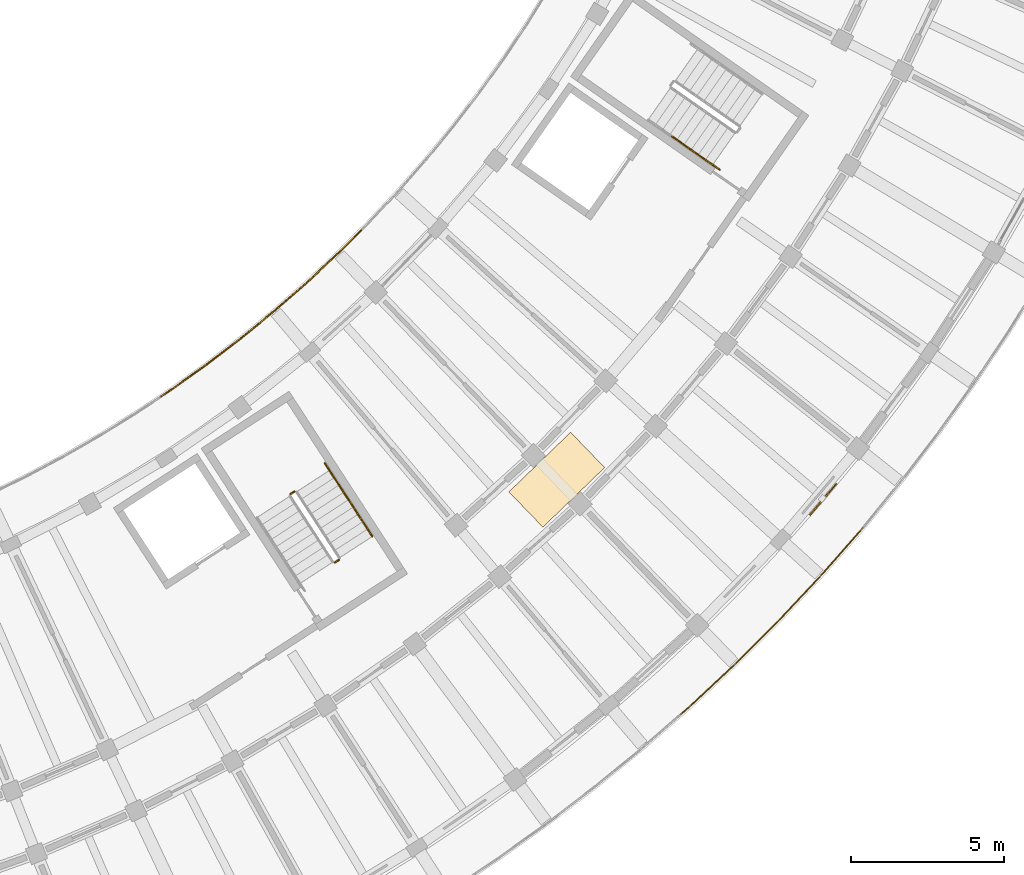
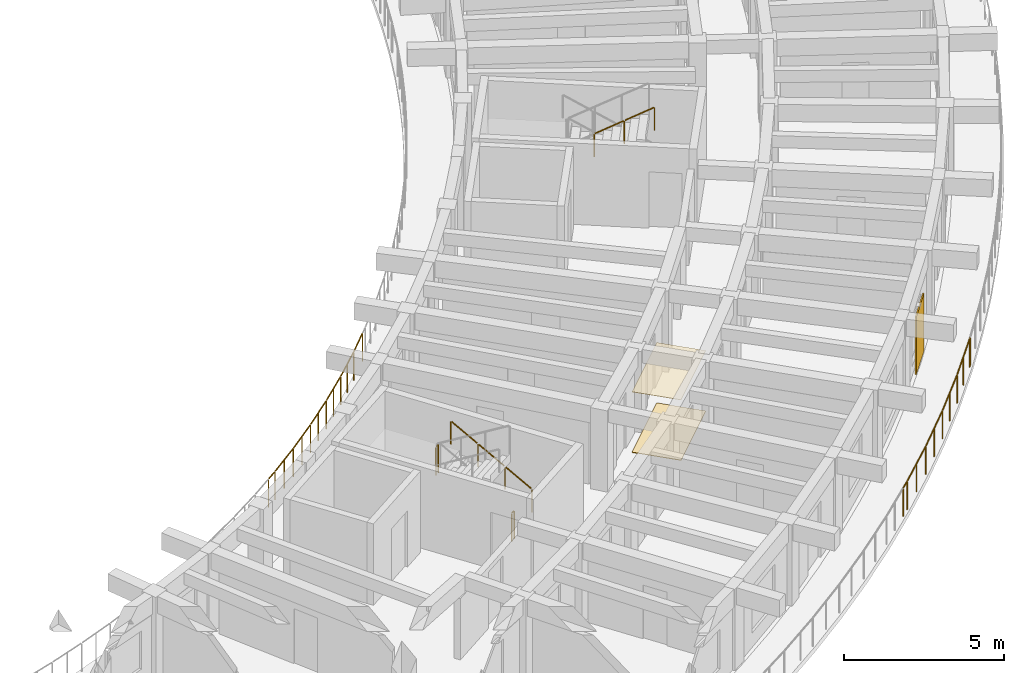
# One storey, part 89 of 96: 9 railings, 2 coverings, 1 shading device.
"""IFC4 building model written with IfcOpenShell, lengths in metres."""

import ifcopenshell
import ifcopenshell.guid

model = None  # the IFC model being written
_history = None  # IfcOwnerHistory: only IFC2X3 demands one
_inside = {}  # id of a spatial element -> (the spatial element, [elements in it])
_under = {}  # id of a project, library or spatial element -> (it, [spatial elements below it])
_declared = {}  # id of a project -> (the project, [libraries it declares])
_typed = {}  # id of a type object -> (the type object, [elements of that type])
_made_of = {}  # id of a material, layer set ... -> (it, [elements and type objects made of it])


def new_model(schema):
    """Start an empty IFC model of exactly this schema.

    Asked for "IFC4X3", IfcOpenShell would pick the latest addendum, in which some entities
    have other attributes; the version numbers below select the first issue.
    IFC2X3 requires an IfcOwnerHistory on every rooted entity: one is made here for all.
    """
    global model, _history
    if schema == "IFC4X3":
        model = ifcopenshell.file(schema_version=(4, 3, 0, 0))
    else:
        model = ifcopenshell.file(schema=schema)
    _inside.clear()
    _under.clear()
    _declared.clear()
    _typed.clear()
    _made_of.clear()
    _history = None
    if model.schema == "IFC2X3":
        org = make("IfcOrganization", Name="unknown")
        user = make(
            "IfcPersonAndOrganization",
            ThePerson=make("IfcPerson", FamilyName="unknown"),
            TheOrganization=org,
        )
        app = make(
            "IfcApplication",
            ApplicationDeveloper=org,
            Version="unknown",
            ApplicationFullName="unknown",
            ApplicationIdentifier="unknown",
        )
        _history = make(
            "IfcOwnerHistory",
            OwningUser=user,
            OwningApplication=app,
            ChangeAction="ADDED",
            CreationDate=0,
        )
    return model


def make(cls, **values):
    """One entity of the class cls with the attributes given. An attribute that is None is left unset."""
    return model.create_entity(
        cls, **{name: value for name, value in values.items() if value is not None}
    )


def rooted(cls, **values):
    """An entity with a GlobalId (a new one), such as an element, a storey or a relation."""
    return make(cls, GlobalId=ifcopenshell.guid.new(), OwnerHistory=_history, **values)


def si_unit(unit_type, name, prefix=None):
    """IfcSIUnit, for example si_unit("LENGTHUNIT", "METRE", prefix="MILLI")."""
    return make("IfcSIUnit", UnitType=unit_type, Prefix=prefix, Name=name)


def assignment(units):
    """IfcUnitAssignment: the units of a project."""
    return None if units is None else make("IfcUnitAssignment", Units=units)


def point(xyz):
    """IfcCartesianPoint."""
    return None if xyz is None else make("IfcCartesianPoint", Coordinates=xyz)


def direction(xyz):
    """IfcDirection."""
    return None if xyz is None else make("IfcDirection", DirectionRatios=xyz)


def frame(location, z_axis=None, x_axis=None):
    """IfcAxis2Placement3D, a coordinate frame: its origin and axes. An axis left out is left unset."""
    return make(
        "IfcAxis2Placement3D",
        Location=point(location),
        Axis=direction(z_axis),
        RefDirection=direction(x_axis),
    )


def frame_2d(location, x_axis=None):
    """IfcAxis2Placement2D, a coordinate frame in the plane: its origin and x axis."""
    return make(
        "IfcAxis2Placement2D", Location=point(location), RefDirection=direction(x_axis)
    )


def origin():
    """The frame at (0, 0, 0) with its axes left unset."""
    return frame((0.0, 0.0, 0.0))


def origin_2d():
    """The frame at (0, 0) in the plane with its x axis left unset."""
    return frame_2d((0.0, 0.0))


def place(relative_to, where):
    """IfcLocalPlacement: puts the frame where relative to a parent placement (None: the world)."""
    return make(
        "IfcLocalPlacement", PlacementRelTo=relative_to, RelativePlacement=where
    )


def context(
    kind, dimensions, precision=None, world=None, true_north=None, identifier=None
):
    """IfcGeometricRepresentationContext, for example the 3D "Model" context."""
    return make(
        "IfcGeometricRepresentationContext",
        ContextIdentifier=identifier,
        ContextType=kind,
        CoordinateSpaceDimension=dimensions,
        Precision=precision,
        WorldCoordinateSystem=world,
        TrueNorth=true_north,
    )


def subcontext(parent, identifier, kind, view, scale=None):
    """IfcGeometricRepresentationSubContext, for example "Body" below "Model"."""
    return make(
        "IfcGeometricRepresentationSubContext",
        ContextIdentifier=identifier,
        ContextType=kind,
        ParentContext=parent,
        TargetScale=scale,
        TargetView=view,
    )


def project(units=None, contexts=None):
    """IfcProject with its units and contexts."""
    return rooted(
        "IfcProject",
        Name="project",
        RepresentationContexts=contexts,
        UnitsInContext=assignment(units),
    )


def spatial(cls, under=None, at=None, **own):
    """A site, building, storey or space (cls), placed at a placement, below another one or the project."""
    s = rooted(cls, ObjectPlacement=at, **own)
    if under is not None:
        _under.setdefault(under.id(), (under, []))[1].append(s)
    return s


def profile(cls, at=None, kind="AREA", **sizes):
    """A parametric profile (cls). Its sizes go by their IFC names, for example OverallWidth=200.0."""
    return make(cls, ProfileType=kind, Position=at, **sizes)


def rectangle(**sizes):
    """IfcRectangleProfileDef."""
    return profile("IfcRectangleProfileDef", **sizes)


def circle(**sizes):
    """IfcCircleProfileDef."""
    return profile("IfcCircleProfileDef", **sizes)


def extrude(swept, where, along, depth):
    """IfcExtrudedAreaSolid: the profile swept, set in the frame where, extruded along a direction by depth."""
    return make(
        "IfcExtrudedAreaSolid",
        SweptArea=swept,
        Position=where,
        ExtrudedDirection=direction(along),
        Depth=depth,
    )


def shape(context_of_items, identifier, shape_type, items):
    """IfcShapeRepresentation: the items that make up one representation, for example the "Body"."""
    return make(
        "IfcShapeRepresentation",
        ContextOfItems=context_of_items,
        RepresentationIdentifier=identifier,
        RepresentationType=shape_type,
        Items=items,
    )


def material(Name=None, Category=None):
    """IfcMaterial."""
    return make("IfcMaterial", Name=Name, Category=Category)


def layer(
    of_material, thickness, ventilated=None, Name=None, Category=None, Priority=None
):
    """IfcMaterialLayer: one layer of a wall or slab, of a material (None: an air gap)."""
    return make(
        "IfcMaterialLayer",
        Material=of_material,
        LayerThickness=thickness,
        IsVentilated=ventilated,
        Name=Name,
        Category=Category,
        Priority=Priority,
    )


def layer_set(layers, Name=None):
    """IfcMaterialLayerSet."""
    return make("IfcMaterialLayerSet", MaterialLayers=layers, LayerSetName=Name)


def made_of(thing, what):
    """Note that an element or type object is made of a material, layer set ...; save() writes the relation."""
    if what is not None:
        _made_of.setdefault(what.id(), (what, []))[1].append(thing)
    return thing


def type_object(cls, material=None, **own):
    """A type object (cls), such as IfcWallType, which elements share."""
    return made_of(rooted(cls, **own), material)


def element(
    cls,
    number,
    at=None,
    inside=None,
    cuts=None,
    type_object=None,
    material=None,
    context=None,
    identifier="Body",
    shape_type=None,
    held_by="IfcProductDefinitionShape",
    body=None,
    shapes=None,
    **own,
):
    """One element of the class cls, such as IfcWall. Its Tag is "e" and its number.

    at: its placement. inside: the storey or other place that contains it. cuts: it is an
    opening in that element (IfcRelVoidsElement). A single representation is given by context,
    identifier, shape_type and body (its items); several are given by shapes. held_by: the class
    of the entity that holds the representations. save() writes the other relations.
    """
    e = rooted(cls, Tag="e%d" % number, ObjectPlacement=at, **own)
    if body is not None:
        shapes = [shape(context, identifier, shape_type, body)]
    if shapes is not None:
        e.Representation = make(held_by, Representations=shapes)
    if inside is not None:
        _inside.setdefault(inside.id(), (inside, []))[1].append(e)
    if cuts is not None:
        rooted(
            "IfcRelVoidsElement", RelatingBuildingElement=cuts, RelatedOpeningElement=e
        )
    if type_object is not None:
        _typed.setdefault(type_object.id(), (type_object, []))[1].append(e)
    return made_of(e, material)


def aggregate(whole, parts):
    """IfcRelAggregates: a whole, such as a stair, and the parts it consists of."""
    return rooted("IfcRelAggregates", RelatingObject=whole, RelatedObjects=parts)


def save(model, path):
    """Write the relations noted so far, then the file.

    IfcRelAggregates (storeys below a building ...), IfcRelContainedInSpatialStructure (elements
    in a storey), IfcRelDefinesByType, IfcRelAssociatesMaterial and IfcRelDeclares: one each for
    every whole, place, type object, material and project.
    """
    for whole, parts in _under.values():
        aggregate(whole, parts)
    for where, things in _inside.values():
        rooted(
            "IfcRelContainedInSpatialStructure",
            RelatedElements=things,
            RelatingStructure=where,
        )
    for kind, things in _typed.values():
        rooted("IfcRelDefinesByType", RelatedObjects=things, RelatingType=kind)
    for what, things in _made_of.values():
        rooted("IfcRelAssociatesMaterial", RelatedObjects=things, RelatingMaterial=what)
    for by, libraries in _declared.values():
        rooted("IfcRelDeclares", RelatingContext=by, RelatedDefinitions=libraries)
    model.write(path)


model = new_model("IFC4")

# Units and contexts
model_context = context("Model", 3, precision=1e-05, world=origin(), true_north=direction((0.0, 1.0)))
body_context = subcontext(model_context, "Body", "Model", "MODEL_VIEW")
ifc_project = project(units=[si_unit("LENGTHUNIT", "METRE"), si_unit("AREAUNIT", "SQUARE_METRE"), si_unit("VOLUMEUNIT", "CUBIC_METRE"), si_unit("PLANEANGLEUNIT", "RADIAN"), si_unit("MASSUNIT", "GRAM", prefix="KILO")], contexts=[model_context])

# Site, building, storey
site_placement = place(None, origin())
site = spatial("IfcSite", under=ifc_project, at=site_placement, CompositionType="ELEMENT")
building_placement = place(site_placement, origin())
building = spatial("IfcBuilding", under=site, at=building_placement, Name="Tanwirah Colonnade Gardens", CompositionType="ELEMENT")
storey_placement = place(building_placement, frame((0.0, 0.0, 12.199951171875)))
storey = spatial("IfcBuildingStorey", under=building, at=storey_placement, Name="L03", CompositionType="ELEMENT", Elevation=12.199951171875)

# Railings
ifc_material_1 = material(Name="Precast concrete C40/50", Category="concrete")
railing_type_1 = type_object("IfcRailingType", Name="BAL-EXT110", PredefinedType="BALUSTRADE", material=ifc_material_1)
railing_1_placement = place(storey_placement, frame((144.87646484375, 29.129638671875, 0.0)))
element("IfcRailing", 1, at=railing_1_placement, inside=storey, type_object=railing_type_1, Name="Block D L03 Balcony Ribbon Balustrade 3", PredefinedType="BALUSTRADE", context=body_context, shape_type="SweptSolid", body=[
    extrude(circle(Radius=0.02392578125, at=origin_2d()), frame((0.026123046875, 0.017333984375, 1.076171875), z_axis=(0.83213401319, 0.55457459741, 0.0), x_axis=(-0.55457459741, 0.83213401319, 0.0)), (0.0, 0.0, 1.0), 0.385986328125),
    extrude(circle(Radius=0.02392578125, at=origin_2d()), frame((0.40087890625, 0.268310546875, 1.076171875), z_axis=(0.813473063063, 0.581602592558, 0.0), x_axis=(-0.581602592558, 0.813473063063, 0.0)), (0.0, 0.0, 1.0), 1.33154296875),
    extrude(circle(Radius=0.02392578125, at=origin_2d()), frame((1.53662109375, 1.08154296875, 1.076171875), z_axis=(0.793969886309, 0.607957087001, 0.0), x_axis=(-0.607957087001, 0.793969886309, 0.0)), (0.0, 0.0, 1.0), 1.331298828125),
    extrude(circle(Radius=0.02392578125, at=origin_2d()), frame((2.644775390625, 1.931396484375, 1.076171875), z_axis=(0.773762182392, 0.633476191424, 0.0), x_axis=(-0.633476191424, 0.773762182392, 0.0)), (0.0, 0.0, 1.0), 1.33154296875),
    extrude(circle(Radius=0.02392578125, at=origin_2d()), frame((3.724609375, 2.81689453125, 1.076171875), z_axis=(0.752565845379, 0.658517006894, 0.0), x_axis=(-0.658517006894, 0.752565845379, 0.0)), (0.0, 0.0, 1.0), 1.33154296875),
    extrude(circle(Radius=0.02392578125, at=origin_2d()), frame((4.775146484375, 3.737548828125, 1.076171875), z_axis=(0.730612417562, 0.682792424756, 0.0), x_axis=(-0.682792424756, 0.730612417562, 0.0)), (0.0, 0.0, 1.0), 1.331298828125),
    extrude(circle(Radius=0.02392578125, at=origin_2d()), frame((5.794677734375, 4.69189453125, 1.076171875), z_axis=(0.707908164283, 0.70630448883, 0.0), x_axis=(-0.70630448883, 0.707908164283, 0.0)), (0.0, 0.0, 1.0), 1.003173828125),
    extrude(circle(Radius=0.02099609375, at=origin_2d()), origin(), (0.0, 0.0, 1.0), 1.049072265625),
    extrude(circle(Radius=0.02099609375, at=origin_2d()), frame((0.373291015625, 0.248779296875, 0.0)), (0.0, 0.0, 1.0), 1.049072265625),
    extrude(circle(Radius=0.02099609375, at=origin_2d()), frame((0.9423828125, 0.65576171875, 0.0)), (0.0, 0.0, 1.0), 1.049072265625),
    extrude(circle(Radius=0.02099609375, at=origin_2d()), frame((1.509521484375, 1.06103515625, 0.0)), (0.0, 0.0, 1.0), 1.049072265625),
    extrude(circle(Radius=0.02099609375, at=origin_2d()), frame((2.06494140625, 1.486328125, 0.0)), (0.0, 0.0, 1.0), 1.049072265625),
    extrude(circle(Radius=0.02099609375, at=origin_2d()), frame((2.618408203125, 1.909912109375, 0.0)), (0.0, 0.0, 1.0), 1.049072265625),
    extrude(circle(Radius=0.02099609375, at=origin_2d()), frame((3.159912109375, 2.35302734375, 0.0)), (0.0, 0.0, 1.0), 1.049072265625),
    extrude(circle(Radius=0.02099609375, at=origin_2d()), frame((3.69921875, 2.794677734375, 0.0)), (0.0, 0.0, 1.0), 1.049072265625),
    extrude(circle(Radius=0.02099609375, at=origin_2d()), frame((4.2255859375, 3.25537109375, 0.0)), (0.0, 0.0, 1.0), 1.049072265625),
    extrude(circle(Radius=0.02099609375, at=origin_2d()), frame((4.750244140625, 3.71435546875, 0.0)), (0.0, 0.0, 1.0), 1.049072265625),
    extrude(circle(Radius=0.02099609375, at=origin_2d()), frame((5.26123046875, 4.192138671875, 0.0)), (0.0, 0.0, 1.0), 1.049072265625),
    extrude(circle(Radius=0.02099609375, at=origin_2d()), frame((5.7705078125, 4.66796875, 0.0)), (0.0, 0.0, 1.0), 1.049072265625),
    extrude(circle(Radius=0.02099609375, at=origin_2d()), frame((6.52685546875, 5.422607421875, 0.0)), (0.0, 0.0, 1.0), 1.049072265625),
])
railing_2_placement = place(storey_placement, frame((167.766845703125, 24.8408203125, 0.0)))
element("IfcRailing", 2, at=railing_2_placement, inside=storey, type_object=railing_type_1, Name="Block D L03 Balcony Ribbon Balustrade 13", PredefinedType="BALUSTRADE", context=body_context, shape_type="SweptSolid", body=[
    extrude(circle(Radius=0.02392578125, at=origin_2d()), frame((-0.019775390625, -0.024169921875, 1.076171875), z_axis=(-0.635184473402, -0.772360462963, 0.0), x_axis=(0.772360462963, -0.635184473402, 0.0)), (0.0, 0.0, 1.0), 0.019287109375),
    extrude(circle(Radius=0.02392578125, at=origin_2d()), frame((-0.07275390625, -0.086669921875, 1.076171875), z_axis=(-0.660199900943, -0.751089935224, 0.0), x_axis=(0.751089935224, -0.660199900943, 0.0)), (0.0, 0.0, 1.0), 1.944091796875),
    extrude(circle(Radius=0.02392578125, at=origin_2d()), frame((-1.398193359375, -1.593017578125, 1.076171875), z_axis=(-0.684365955264, -0.729138696871, 0.0), x_axis=(0.729138696871, -0.684365955264, 0.0)), (0.0, 0.0, 1.0), 1.944091796875),
    extrude(circle(Radius=0.02392578125, at=origin_2d()), frame((-2.772216796875, -3.055419921875, 1.076171875), z_axis=(-0.707897217537, -0.706315460261, 0.0), x_axis=(0.706315460261, -0.707897217537, 0.0)), (0.0, 0.0, 1.0), 1.944091796875),
    extrude(circle(Radius=0.02392578125, at=origin_2d()), frame((-4.193359375, -4.471923828125, 1.076171875), z_axis=(-0.730610060212, -0.682794947196, 0.0), x_axis=(0.682794947196, -0.730610060212, 0.0)), (0.0, 0.0, 1.0), 1.944091796875),
    extrude(circle(Radius=0.02392578125, at=origin_2d()), frame((-5.659912109375, -5.84130859375, 1.076171875), z_axis=(-0.752306356802, -0.658813437564, 0.0), x_axis=(0.658813437564, -0.752306356802, 0.0)), (0.0, 0.0, 1.0), 0.3291015625),
    extrude(circle(Radius=0.02099609375, at=origin_2d()), origin(), (0.0, 0.0, 1.0), 1.049072265625),
    extrude(circle(Radius=0.02099609375, at=origin_2d()), frame((-0.052001953125, -0.063232421875, 0.0)), (0.0, 0.0, 1.0), 1.049072265625),
    extrude(circle(Radius=0.02099609375, at=origin_2d()), frame((-0.71435546875, -0.81689453125, 0.0)), (0.0, 0.0, 1.0), 1.049072265625),
    extrude(circle(Radius=0.02099609375, at=origin_2d()), frame((-1.376708984375, -1.5703125, 0.0)), (0.0, 0.0, 1.0), 1.049072265625),
    extrude(circle(Radius=0.02099609375, at=origin_2d()), frame((-2.0634765625, -2.3017578125, 0.0)), (0.0, 0.0, 1.0), 1.049072265625),
    extrude(circle(Radius=0.02099609375, at=origin_2d()), frame((-2.75, -3.033447265625, 0.0)), (0.0, 0.0, 1.0), 1.049072265625),
    extrude(circle(Radius=0.02099609375, at=origin_2d()), frame((-3.460205078125, -3.7421875, 0.0)), (0.0, 0.0, 1.0), 1.049072265625),
    extrude(circle(Radius=0.02099609375, at=origin_2d()), frame((-4.17041015625, -4.45068359375, 0.0)), (0.0, 0.0, 1.0), 1.049072265625),
    extrude(circle(Radius=0.02099609375, at=origin_2d()), frame((-4.9033203125, -5.1357421875, 0.0)), (0.0, 0.0, 1.0), 1.049072265625),
    extrude(circle(Radius=0.02099609375, at=origin_2d()), frame((-5.636474609375, -5.82080078125, 0.0)), (0.0, 0.0, 1.0), 1.049072265625),
    extrude(circle(Radius=0.02099609375, at=origin_2d()), frame((-5.93115234375, -6.078857421875, 0.0)), (0.0, 0.0, 1.0), 1.049072265625),
])

# Coverings
ifc_material_2 = material(Name="Acoustic perforated gypsum ceiling board")
ifc_layer_1 = layer(ifc_material_2, 0.014892578125)
ifc_layer_set_1 = layer_set([ifc_layer_1], Name="Acoustic perforated gypsum ceiling board")
covering_type_1 = type_object("IfcCoveringType", Name="COV-CEIL15", PredefinedType="CEILING", material=ifc_layer_set_1)
covering_1_placement = place(storey_placement, frame((157.7822265625, 26.410888671875, 2.3125), z_axis=(0.0, 0.0, 1.0), x_axis=(0.719339800339, 0.694658370459, 0.0)))
element("IfcCovering", 3, at=covering_1_placement, inside=storey, type_object=covering_type_1, Name="Block D L03 Corridor Acoustic Ceiling", PredefinedType="CEILING", context=body_context, shape_type="SweptSolid", body=[
    extrude(rectangle(XDim=2.800048828125, YDim=1.60009765625, at=origin_2d()), origin(), (0.0, 0.0, 1.0), 0.014892578125),
])
ifc_material_3 = material(Name="Honed Abu Dhabi limestone terrazzo flooring", Category="masonry")
ifc_layer_2 = layer(ifc_material_3, 0.02001953125)
ifc_layer_set_2 = layer_set([ifc_layer_2], Name="Honed Abu Dhabi limestone terrazzo flooring")
covering_type_2 = type_object("IfcCoveringType", Name="COV-FLR20", PredefinedType="FLOORING", material=ifc_layer_set_2)
covering_2_placement = place(storey_placement, frame((157.7822265625, 26.410888671875, 0.0), z_axis=(0.0, 0.0, 1.0), x_axis=(0.719339800339, 0.694658370459, 0.0)))
element("IfcCovering", 4, at=covering_2_placement, inside=storey, type_object=covering_type_2, Name="Block D L03 Corridor Terrazzo Flooring", PredefinedType="FLOORING", context=body_context, shape_type="SweptSolid", body=[
    extrude(rectangle(XDim=2.800048828125, YDim=1.60009765625, at=origin_2d()), origin(), (0.0, 0.0, 1.0), 0.02001953125),
])

# Railings
ifc_material_4 = material(Name="Powder-coated galvanized steel", Category="steel")
railing_type_2 = type_object("IfcRailingType", Name="GRD-ST110", PredefinedType="GUARDRAIL", material=ifc_material_4)
for number, where, name in (
    (5, (149.22509765625, 26.03125, 1.679931640625), "L03 ST-D1 stair guard 2"),
    (6, (150.676513671875, 23.79638671875, 0.0), "L03 ST-D1 stair guard 4"),
):
    element("IfcRailing", number, at=place(storey_placement, frame(where)), inside=storey, type_object=railing_type_2, Name=name, PredefinedType="GUARDRAIL", context=body_context, shape_type="SweptSolid", body=[
        extrude(circle(Radius=0.02392578125, at=origin_2d()), frame((-0.026123046875, -0.01708984375, 1.076171875), z_axis=(-0.838791880614, -0.544452184326, 0.0), x_axis=(0.544452184326, -0.838791880614, 0.0)), (0.0, 0.0, 1.0), 0.09765625),
        extrude(circle(Radius=0.02099609375, at=origin_2d()), origin(), (0.0, 0.0, 1.0), 1.049072265625),
        extrude(circle(Radius=0.02099609375, at=origin_2d()), frame((-0.13427734375, -0.087158203125, 0.0)), (0.0, 0.0, 1.0), 1.049072265625),
    ])
ifc_material_5 = material(Name="Brushed bronze stainless steel", Category="steel")
railing_type_3 = type_object("IfcRailingType", Name="HR-ST090", PredefinedType="HANDRAIL", material=ifc_material_5)
railing_3_placement = place(storey_placement, frame((151.7646484375, 24.5625, 0.16796875)))
element("IfcRailing", 7, at=railing_3_placement, inside=storey, type_object=railing_type_3, Name="L03 ST-D1 stair handrail 1", PredefinedType="HANDRAIL", context=body_context, shape_type="SweptSolid", body=[
    extrude(circle(Radius=0.02392578125, at=origin_2d()), frame((-0.0146484375, 0.0224609375, 0.891845703125), z_axis=(-0.467762236297, 0.720517196448, 0.511911574315), x_axis=(-0.838748777278, -0.544518584269, 0.0)), (0.0, 0.0, 1.0), 1.04345703125),
    extrude(circle(Radius=0.02099609375, at=origin_2d()), origin(), (0.0, 0.0, 1.0), 0.848876953125),
    extrude(circle(Radius=0.02099609375, at=origin_2d()), frame((-0.517333984375, 0.796875, 0.566162109375)), (0.0, 0.0, 1.0), 0.848876953125),
])
railing_4_placement = place(storey_placement, frame((151.247314453125, 25.359375, 0.734130859375)))
element("IfcRailing", 8, at=railing_4_placement, inside=storey, type_object=railing_type_3, Name="L03 ST-D1 stair handrail 2", PredefinedType="HANDRAIL", context=body_context, shape_type="SweptSolid", body=[
    extrude(circle(Radius=0.02392578125, at=origin_2d()), frame((-0.0146484375, 0.0224609375, 0.891845703125), z_axis=(-0.467889522294, 0.720492454576, 0.511830067333), x_axis=(-0.838672561027, -0.544635965926, 0.0)), (0.0, 0.0, 1.0), 1.043212890625),
    extrude(circle(Radius=0.02099609375, at=origin_2d()), origin(), (0.0, 0.0, 1.0), 0.848876953125),
    extrude(circle(Radius=0.02099609375, at=origin_2d()), frame((-0.517333984375, 0.796630859375, 0.56591796875)), (0.0, 0.0, 1.0), 0.848876953125),
])
railing_5_placement = place(storey_placement, frame((150.72998046875, 26.156005859375, 1.300048828125)))
element("IfcRailing", 9, at=railing_5_placement, inside=storey, type_object=railing_type_3, Name="L03 ST-D1 stair handrail 3", PredefinedType="HANDRAIL", context=body_context, shape_type="SweptSolid", body=[
    extrude(circle(Radius=0.02392578125, at=origin_2d()), frame((-0.0146484375, 0.0224609375, 0.891845703125), z_axis=(-0.467987521127, 0.720524183471, 0.511695789609), x_axis=(-0.838631412534, -0.544699324317, 0.0)), (0.0, 0.0, 1.0), 1.04345703125),
    extrude(circle(Radius=0.02099609375, at=origin_2d()), origin(), (0.0, 0.0, 1.0), 0.848876953125),
    extrude(circle(Radius=0.02099609375, at=origin_2d()), frame((-0.517578125, 0.796875, 0.56591796875)), (0.0, 0.0, 1.0), 0.848876953125),
])
railing_6_placement = place(storey_placement, frame((161.544921875, 37.611572265625, 2.4140625)))
element("IfcRailing", 10, at=railing_6_placement, inside=storey, type_object=railing_type_3, Name="L03 ST-D2 stair handrail 5", PredefinedType="HANDRAIL", context=body_context, shape_type="SweptSolid", body=[
    extrude(circle(Radius=0.02392578125, at=origin_2d()), frame((0.02197265625, -0.015380859375, 0.891845703125), z_axis=(0.703797483594, -0.492746544348, 0.511732298297), x_axis=(0.573531324472, 0.819183630115, 0.0)), (0.0, 0.0, 1.0), 1.04345703125),
    extrude(circle(Radius=0.02099609375, at=origin_2d()), origin(), (0.0, 0.0, 1.0), 0.848876953125),
    extrude(circle(Radius=0.02099609375, at=origin_2d()), frame((0.7783203125, -0.544921875, 0.56591796875)), (0.0, 0.0, 1.0), 0.848876953125),
])
railing_7_placement = place(storey_placement, frame((162.3232421875, 37.066650390625, 2.97998046875)))
element("IfcRailing", 11, at=railing_7_placement, inside=storey, type_object=railing_type_3, Name="L03 ST-D2 stair handrail 6", PredefinedType="HANDRAIL", context=body_context, shape_type="SweptSolid", body=[
    extrude(circle(Radius=0.02392578125, at=origin_2d()), frame((0.02197265625, -0.015380859375, 0.891845703125), z_axis=(0.70368305994, -0.492600221753, 0.512030441168), x_axis=(0.573479595945, 0.819219844141, 0.0)), (0.0, 0.0, 1.0), 1.043212890625),
    extrude(circle(Radius=0.02099609375, at=origin_2d()), origin(), (0.0, 0.0, 1.0), 0.848876953125),
    extrude(circle(Radius=0.02099609375, at=origin_2d()), frame((0.778076171875, -0.544677734375, 0.566162109375)), (0.0, 0.0, 1.0), 0.848876953125),
])

# Shading device
ifc_material_6 = material(Name="Perforated architectural bronze aluminium", Category="aluminium")
ifc_layer_3 = layer(ifc_material_6, 0.044921875)
ifc_layer_set_3 = layer_set([ifc_layer_3], Name="Perforated architectural bronze aluminium")
shading_device_type = type_object("IfcShadingDeviceType", Name="SHD-MSH1", PredefinedType="JALOUSIE", material=ifc_layer_set_3)
shading_device_placement = place(storey_placement, frame((166.476806640625, 25.771240234375, 0.0), z_axis=(0.0, 0.0, 1.0), x_axis=(0.647787018861, 0.761821487092, 0.0)))
element("IfcShadingDevice", 12, at=shading_device_placement, inside=storey, type_object=shading_device_type, Name="Bronze mashrabiya solar screen D-L03-09", PredefinedType="JALOUSIE", context=body_context, shape_type="SweptSolid", body=[
    extrude(rectangle(XDim=1.35009765625, YDim=0.044921875, at=origin_2d()), origin(), (0.0, 0.0, 1.0), 2.199951171875),
])

save(model, "model.ifc")
